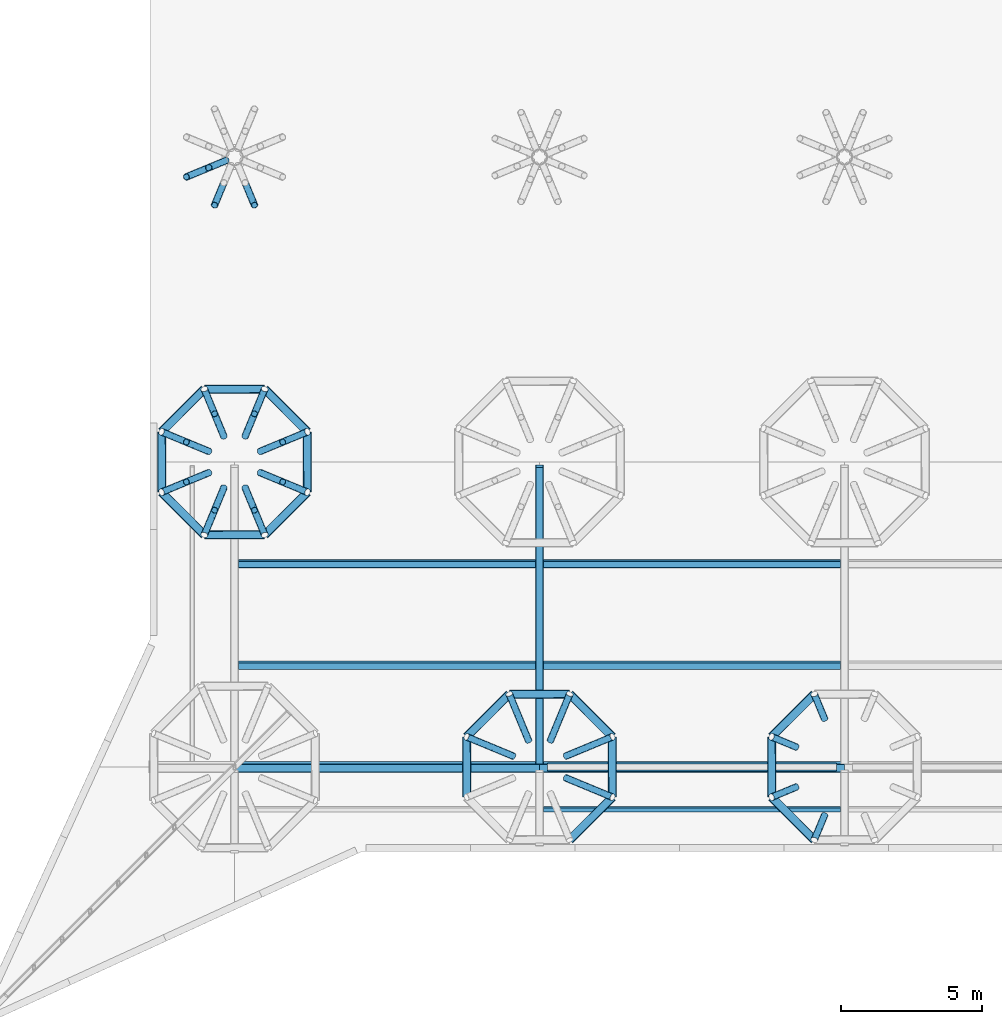
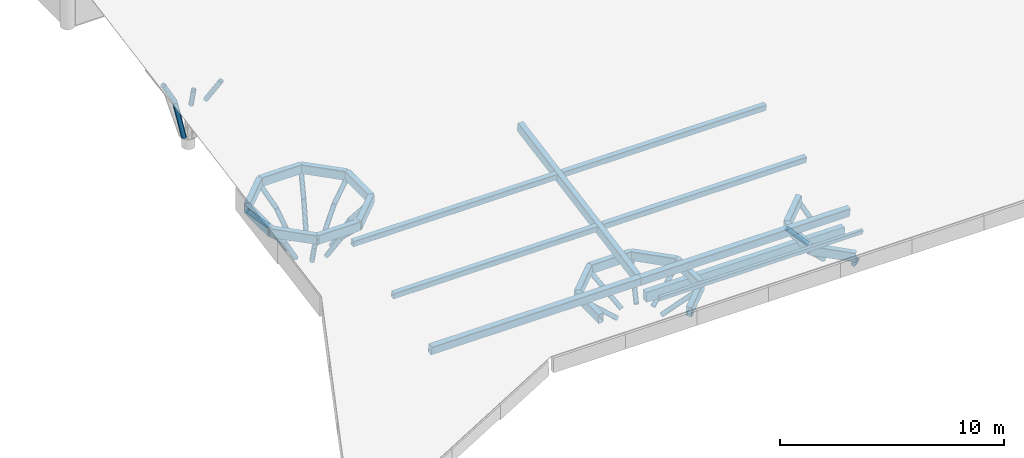
# One storey, part 6 of 56: 29 members, 26 beams.
"""IFC4 building model written with IfcOpenShell, lengths in metres."""

from ifc_helpers import new_model, si_unit, direction, frame, origin, origin_2d, place, context, subcontext, project, spatial, rectangle, hollow_rectangle, hollow_circle, extrude, clip, halfspace, material, material_profile, profile_set, type_object, element, save


model = new_model("IFC4")

# Units and contexts
model_context = context("Model", 3, precision=1e-05, world=origin(), true_north=direction((0.0, 1.0)))
body_context = subcontext(model_context, "Body", "Model", "MODEL_VIEW")
ifc_project = project(units=[si_unit("LENGTHUNIT", "METRE"), si_unit("AREAUNIT", "SQUARE_METRE"), si_unit("VOLUMEUNIT", "CUBIC_METRE"), si_unit("PLANEANGLEUNIT", "RADIAN"), si_unit("MASSUNIT", "GRAM", prefix="KILO")], contexts=[model_context])

# Site, building, storey
site_placement = place(None, origin())
site = spatial("IfcSite", under=ifc_project, at=site_placement, CompositionType="ELEMENT")
building_placement = place(site_placement, origin())
building = spatial("IfcBuilding", under=site, at=building_placement, Name="Magnolia Steps Interchange", CompositionType="ELEMENT")
storey_placement = place(building_placement, frame((0.0, 0.0, 8.699951171875)))
storey = spatial("IfcBuildingStorey", under=building, at=storey_placement, Name="L02", CompositionType="ELEMENT", Elevation=8.699951171875)

# Beams
ifc_material_1 = material(Name="Concrete C40", Category="concrete")
ifc_material_profile_1 = material_profile(ifc_material_1, rectangle(XDim=0.300048828125, YDim=0.550048828125, at=origin_2d()), Name="RC300x550")
ifc_profile_set_1 = profile_set([ifc_material_profile_1], Name="Concrete C40")
beam_type_1 = type_object("IfcBeamType", Name="Hall header sill beam 300x550", PredefinedType="BEAM", material=ifc_profile_set_1)
beam_1_placement = place(storey_placement, frame((64.280029296875, 42.39990234375, 1.02392578125), z_axis=(1.0, 0.0, 0.0), x_axis=(0.0, 1.0, 0.0)))
element("IfcBeam", 1, at=beam_1_placement, inside=storey, type_object=beam_type_1, Name="Hall header sill beam S2", PredefinedType="BEAM", context=body_context, shape_type="SweptSolid", body=[
    extrude(rectangle(XDim=0.300048828125, YDim=0.550048828125, at=origin_2d()), origin(), (0.0, 0.0, 1.0), 10.239990234375),
])
ifc_material_2 = material(Name="Steel Q355B", Category="steel")
ifc_material_profile_2 = material_profile(ifc_material_2, hollow_rectangle(XDim=0.300048828125, YDim=0.5, WallThickness=0.01611328125, InnerFilletRadius=0.01611328125, OuterFilletRadius=0.031982421875, at=origin_2d()), Name="RHS500x300x16")
ifc_profile_set_2 = profile_set([ifc_material_profile_2], Name="Steel Q355B")
beam_type_2 = type_object("IfcBeamType", Name="Ring beam RHS500x300x16", PredefinedType="BEAM", material=ifc_profile_set_2)
beam_2_placement = place(storey_placement, frame((55.780029296875, 54.268798828125, 3.424560546875), z_axis=(-0.707106781187, 0.707106781187, 0.0), x_axis=(-0.707106781187, -0.707106781187, 0.0)))
element("IfcBeam", 2, at=beam_2_placement, inside=storey, type_object=beam_type_2, Name="Ring beam TH01B", PredefinedType="BEAM", context=body_context, shape_type="Clipping", body=[
    clip(clip(extrude(hollow_rectangle(XDim=0.300048828125, YDim=0.5, WallThickness=0.01611328125, InnerFilletRadius=0.01611328125, OuterFilletRadius=0.031982421875, at=origin_2d()), origin(), (0.0, 0.0, 1.0), 2.13720703125), halfspace(frame((0.0, 0.0, 0.0), z_axis=(0.382683433, 0.0, -0.923879532), x_axis=(0.923879532, 0.0, 0.382683433)), False)), halfspace(frame((0.0, 0.0, 2.137202625), z_axis=(0.382683433, 0.0, 0.923879532), x_axis=(0.923879532, 0.0, -0.382683433)), False)),
])
beam_3_placement = place(storey_placement, frame((54.268798828125, 55.780029296875, 3.424560546875), z_axis=(-1.0, 0.0, 0.0), x_axis=(0.0, -1.0, 0.0)))
element("IfcBeam", 3, at=beam_3_placement, inside=storey, type_object=beam_type_2, Name="Ring beam TH01B", PredefinedType="BEAM", context=body_context, shape_type="Clipping", body=[
    clip(clip(extrude(hollow_rectangle(XDim=0.300048828125, YDim=0.5, WallThickness=0.01611328125, InnerFilletRadius=0.01611328125, OuterFilletRadius=0.031982421875, at=origin_2d()), origin(), (0.0, 0.0, 1.0), 2.137451171875), halfspace(frame((0.0, 0.0, 0.0), z_axis=(0.382683432, 0.0, -0.923879533), x_axis=(0.923879533, 0.0, 0.382683432)), False)), halfspace(frame((0.0, 0.0, 2.137451172), z_axis=(0.382683432, 0.0, 0.923879533), x_axis=(0.923879533, 0.0, -0.382683432)), False)),
])
beam_4_placement = place(storey_placement, frame((52.13134765625, 55.780029296875, 3.424560546875), z_axis=(-0.707106781187, -0.707106781187, 0.0), x_axis=(0.707106781187, -0.707106781187, 0.0)))
element("IfcBeam", 4, at=beam_4_placement, inside=storey, type_object=beam_type_2, Name="Ring beam TH01B", PredefinedType="BEAM", context=body_context, shape_type="Clipping", body=[
    clip(clip(extrude(hollow_rectangle(XDim=0.300048828125, YDim=0.5, WallThickness=0.01611328125, InnerFilletRadius=0.01611328125, OuterFilletRadius=0.031982421875, at=origin_2d()), origin(), (0.0, 0.0, 1.0), 2.13720703125), halfspace(frame((0.0, 0.0, 0.0), z_axis=(0.382683433, 0.0, -0.923879532), x_axis=(0.923879532, 0.0, 0.382683433)), False)), halfspace(frame((0.0, 0.0, 2.137202625), z_axis=(0.382683433, 0.0, 0.923879532), x_axis=(0.923879532, 0.0, -0.382683433)), False)),
])
beam_5_placement = place(storey_placement, frame((50.6201171875, 54.268798828125, 3.424560546875), z_axis=(0.0, -1.0, 0.0), x_axis=(1.0, 0.0, 0.0)))
element("IfcBeam", 5, at=beam_5_placement, inside=storey, type_object=beam_type_2, Name="Ring beam TH01B", PredefinedType="BEAM", context=body_context, shape_type="Clipping", body=[
    clip(clip(extrude(hollow_rectangle(XDim=0.300048828125, YDim=0.5, WallThickness=0.01611328125, InnerFilletRadius=0.01611328125, OuterFilletRadius=0.031982421875, at=origin_2d()), origin(), (0.0, 0.0, 1.0), 2.137451171875), halfspace(frame((0.0, 0.0, 0.0), z_axis=(0.382683432, 0.0, -0.923879533), x_axis=(0.923879533, 0.0, 0.382683432)), False)), halfspace(frame((0.0, 0.0, 2.137451172), z_axis=(0.382683432, 0.0, 0.923879533), x_axis=(0.923879533, 0.0, -0.382683432)), False)),
])
beam_6_placement = place(storey_placement, frame((50.6201171875, 52.13134765625, 3.424560546875), z_axis=(0.707106781187, -0.707106781187, 0.0), x_axis=(0.707106781187, 0.707106781187, 0.0)))
element("IfcBeam", 6, at=beam_6_placement, inside=storey, type_object=beam_type_2, Name="Ring beam TH01B", PredefinedType="BEAM", context=body_context, shape_type="Clipping", body=[
    clip(clip(extrude(hollow_rectangle(XDim=0.300048828125, YDim=0.5, WallThickness=0.01611328125, InnerFilletRadius=0.01611328125, OuterFilletRadius=0.031982421875, at=origin_2d()), origin(), (0.0, 0.0, 1.0), 2.13720703125), halfspace(frame((0.0, 0.0, 0.0), z_axis=(0.382683433, 0.0, -0.923879532), x_axis=(0.923879532, 0.0, 0.382683433)), False)), halfspace(frame((0.0, 0.0, 2.137202625), z_axis=(0.382683433, 0.0, 0.923879532), x_axis=(0.923879532, 0.0, -0.382683433)), False)),
])
beam_7_placement = place(storey_placement, frame((52.13134765625, 50.6201171875, 3.424560546875), z_axis=(1.0, 0.0, 0.0), x_axis=(0.0, 1.0, 0.0)))
element("IfcBeam", 7, at=beam_7_placement, inside=storey, type_object=beam_type_2, Name="Ring beam TH01B", PredefinedType="BEAM", context=body_context, shape_type="Clipping", body=[
    clip(clip(extrude(hollow_rectangle(XDim=0.300048828125, YDim=0.5, WallThickness=0.01611328125, InnerFilletRadius=0.01611328125, OuterFilletRadius=0.031982421875, at=origin_2d()), origin(), (0.0, 0.0, 1.0), 2.137451171875), halfspace(frame((0.0, 0.0, 0.0), z_axis=(0.382683432, 0.0, -0.923879533), x_axis=(0.923879533, 0.0, 0.382683432)), False)), halfspace(frame((0.0, 0.0, 2.137451172), z_axis=(0.382683432, 0.0, 0.923879533), x_axis=(0.923879533, 0.0, -0.382683432)), False)),
])
beam_8_placement = place(storey_placement, frame((54.268798828125, 50.6201171875, 3.424560546875), z_axis=(0.707106781187, 0.707106781187, 0.0), x_axis=(-0.707106781187, 0.707106781187, 0.0)))
element("IfcBeam", 8, at=beam_8_placement, inside=storey, type_object=beam_type_2, Name="Ring beam TH01B", PredefinedType="BEAM", context=body_context, shape_type="Clipping", body=[
    clip(clip(extrude(hollow_rectangle(XDim=0.300048828125, YDim=0.5, WallThickness=0.01611328125, InnerFilletRadius=0.01611328125, OuterFilletRadius=0.031982421875, at=origin_2d()), origin(), (0.0, 0.0, 1.0), 2.13720703125), halfspace(frame((0.0, 0.0, 0.0), z_axis=(0.382683433, 0.0, -0.923879532), x_axis=(0.923879532, 0.0, 0.382683433)), False)), halfspace(frame((0.0, 0.0, 2.137202625), z_axis=(0.382683433, 0.0, 0.923879532), x_axis=(0.923879532, 0.0, -0.382683433)), False)),
])
beam_9_placement = place(storey_placement, frame((55.780029296875, 52.13134765625, 3.424560546875), z_axis=(0.0, 1.0, 0.0), x_axis=(-1.0, 0.0, 0.0)))
element("IfcBeam", 9, at=beam_9_placement, inside=storey, type_object=beam_type_2, Name="Ring beam TH01B", PredefinedType="BEAM", context=body_context, shape_type="Clipping", body=[
    clip(clip(extrude(hollow_rectangle(XDim=0.300048828125, YDim=0.5, WallThickness=0.01611328125, InnerFilletRadius=0.01611328125, OuterFilletRadius=0.031982421875, at=origin_2d()), origin(), (0.0, 0.0, 1.0), 2.137451171875), halfspace(frame((0.0, 0.0, 0.0), z_axis=(0.382683432, 0.0, -0.923879533), x_axis=(0.923879533, 0.0, 0.382683432)), False)), halfspace(frame((0.0, 0.0, 2.137451172), z_axis=(0.382683432, 0.0, 0.923879533), x_axis=(0.923879533, 0.0, -0.382683432)), False)),
])
beam_10_placement = place(storey_placement, frame((66.580078125, 43.46875, 1.44873046875), z_axis=(-0.707163891131, 0.707049666629, 0.0), x_axis=(-0.707049666629, -0.707163891131, 0.0)))
element("IfcBeam", 10, at=beam_10_placement, inside=storey, type_object=beam_type_2, Name="Ring beam TH02A", PredefinedType="BEAM", context=body_context, shape_type="Clipping", body=[
    clip(clip(extrude(hollow_rectangle(XDim=0.300048828125, YDim=0.5, WallThickness=0.01611328125, InnerFilletRadius=0.01611328125, OuterFilletRadius=0.031982421875, at=origin_2d()), origin(), (0.0, 0.0, 1.0), 2.137451171875), halfspace(frame((0.0, 0.0, 0.0), z_axis=(0.382758052, 0.0, -0.92384862), x_axis=(0.923848621, 0.0, 0.382758052)), False)), halfspace(frame((0.0, 0.0, 2.137375265), z_axis=(0.382608811, 0.0, 0.923910438), x_axis=(0.923910438, 0.0, -0.382608811)), False)),
])
beam_11_placement = place(storey_placement, frame((65.068603515625, 44.97998046875, 1.44873046875), z_axis=(-1.0, 0.0, 0.0), x_axis=(0.0, -1.0, 0.0)))
element("IfcBeam", 11, at=beam_11_placement, inside=storey, type_object=beam_type_2, Name="Ring beam TH02A", PredefinedType="BEAM", context=body_context, shape_type="Clipping", body=[
    clip(clip(extrude(hollow_rectangle(XDim=0.300048828125, YDim=0.5, WallThickness=0.01611328125, InnerFilletRadius=0.01611328125, OuterFilletRadius=0.031982421875, at=origin_2d()), origin(), (0.0, 0.0, 1.0), 2.13720703125), halfspace(frame((0.0, 0.0, 0.0), z_axis=(0.382683432, 0.0, -0.923879533), x_axis=(0.923879533, 0.0, 0.382683432)), False)), halfspace(frame((0.0, 0.0, 2.137207031), z_axis=(0.382683432, 0.0, 0.923879533), x_axis=(0.923879533, 0.0, -0.382683432)), False)),
])
beam_12_placement = place(storey_placement, frame((62.931396484375, 44.97998046875, 1.44873046875), z_axis=(-0.707163891131, -0.707049666629, 0.0), x_axis=(0.707049666629, -0.707163891131, 0.0)))
element("IfcBeam", 12, at=beam_12_placement, inside=storey, type_object=beam_type_2, Name="Ring beam TH02A", PredefinedType="BEAM", context=body_context, shape_type="Clipping", body=[
    clip(clip(extrude(hollow_rectangle(XDim=0.300048828125, YDim=0.5, WallThickness=0.01611328125, InnerFilletRadius=0.01611328125, OuterFilletRadius=0.031982421875, at=origin_2d()), origin(), (0.0, 0.0, 1.0), 2.137451171875), halfspace(frame((0.0, 0.0, 0.0), z_axis=(0.382608811, 0.0, -0.923910438), x_axis=(0.923910438, 0.0, 0.382608811)), False)), halfspace(frame((0.0, 0.0, 2.137375265), z_axis=(0.382758052, 0.0, 0.92384862), x_axis=(0.923848621, 0.0, -0.382758052)), False)),
])
beam_13_placement = place(storey_placement, frame((61.419921875, 43.46875, 1.44873046875), z_axis=(0.0, -1.0, 0.0), x_axis=(1.0, 0.0, 0.0)))
element("IfcBeam", 13, at=beam_13_placement, inside=storey, type_object=beam_type_2, Name="Ring beam TH02A", PredefinedType="BEAM", context=body_context, shape_type="Clipping", body=[
    clip(clip(extrude(hollow_rectangle(XDim=0.300048828125, YDim=0.5, WallThickness=0.01611328125, InnerFilletRadius=0.01611328125, OuterFilletRadius=0.031982421875, at=origin_2d()), origin(), (0.0, 0.0, 1.0), 2.137451171875), halfspace(frame((0.0, 0.0, 0.0), z_axis=(0.382683432, 0.0, -0.923879533), x_axis=(0.923879533, 0.0, 0.382683432)), False)), halfspace(frame((0.0, 0.0, 2.137451172), z_axis=(0.382683432, 0.0, 0.923879533), x_axis=(0.923879533, 0.0, -0.382683432)), False)),
])
beam_14_placement = place(storey_placement, frame((65.068603515625, 39.820068359375, 1.44873046875), z_axis=(0.707163891131, 0.707049666629, 0.0), x_axis=(-0.707049666629, 0.707163891131, 0.0)))
element("IfcBeam", 14, at=beam_14_placement, inside=storey, type_object=beam_type_2, Name="Ring beam TH02A", PredefinedType="BEAM", context=body_context, shape_type="Clipping", body=[
    clip(clip(extrude(hollow_rectangle(XDim=0.300048828125, YDim=0.5, WallThickness=0.01611328125, InnerFilletRadius=0.01611328125, OuterFilletRadius=0.031982421875, at=origin_2d()), origin(), (0.0, 0.0, 1.0), 2.137451171875), halfspace(frame((0.0, 0.0, 0.0), z_axis=(0.382608811, 0.0, -0.923910438), x_axis=(0.923910438, 0.0, 0.382608811)), False)), halfspace(frame((0.0, 0.0, 2.137375265), z_axis=(0.382758052, 0.0, 0.92384862), x_axis=(0.923848621, 0.0, -0.382758052)), False)),
])
beam_15_placement = place(storey_placement, frame((66.580078125, 41.331298828125, 1.44873046875), z_axis=(0.0, 1.0, 0.0), x_axis=(-1.0, 0.0, 0.0)))
element("IfcBeam", 15, at=beam_15_placement, inside=storey, type_object=beam_type_2, Name="Ring beam TH02A", PredefinedType="BEAM", context=body_context, shape_type="Clipping", body=[
    clip(clip(extrude(hollow_rectangle(XDim=0.300048828125, YDim=0.5, WallThickness=0.01611328125, InnerFilletRadius=0.01611328125, OuterFilletRadius=0.031982421875, at=origin_2d()), origin(), (0.0, 0.0, 1.0), 2.137451171875), halfspace(frame((0.0, 0.0, 0.0), z_axis=(0.382683432, 0.0, -0.923879533), x_axis=(0.923879533, 0.0, 0.382683432)), False)), halfspace(frame((0.0, 0.0, 2.137451172), z_axis=(0.382683432, 0.0, 0.923879533), x_axis=(0.923879533, 0.0, -0.382683432)), False)),
])
beam_16_placement = place(storey_placement, frame((73.731201171875, 44.97998046875, 1.44873046875), z_axis=(-0.707106781187, -0.707106781187, 0.0), x_axis=(0.707106781187, -0.707106781187, 0.0)))
element("IfcBeam", 16, at=beam_16_placement, inside=storey, type_object=beam_type_2, Name="Ring beam TH03A", PredefinedType="BEAM", context=body_context, shape_type="Clipping", body=[
    clip(clip(extrude(hollow_rectangle(XDim=0.300048828125, YDim=0.5, WallThickness=0.01611328125, InnerFilletRadius=0.01611328125, OuterFilletRadius=0.031982421875, at=origin_2d()), origin(), (0.0, 0.0, 1.0), 2.13720703125), halfspace(frame((0.0, 0.0, 0.0), z_axis=(0.382683433, 0.0, -0.923879532), x_axis=(0.923879532, 0.0, 0.382683433)), False)), halfspace(frame((0.0, 0.0, 2.137202625), z_axis=(0.382683433, 0.0, 0.923879532), x_axis=(0.923879532, 0.0, -0.382683433)), False)),
])
beam_17_placement = place(storey_placement, frame((72.219970703125, 43.46875, 1.44873046875), z_axis=(0.0, -1.0, 0.0), x_axis=(1.0, 0.0, 0.0)))
element("IfcBeam", 17, at=beam_17_placement, inside=storey, type_object=beam_type_2, Name="Ring beam TH03A", PredefinedType="BEAM", context=body_context, shape_type="Clipping", body=[
    clip(clip(extrude(hollow_rectangle(XDim=0.300048828125, YDim=0.5, WallThickness=0.01611328125, InnerFilletRadius=0.01611328125, OuterFilletRadius=0.031982421875, at=origin_2d()), origin(), (0.0, 0.0, 1.0), 2.137451171875), halfspace(frame((0.0, 0.0, 0.0), z_axis=(0.382683432, 0.0, -0.923879533), x_axis=(0.923879533, 0.0, 0.382683432)), False)), halfspace(frame((0.0, 0.0, 2.137451172), z_axis=(0.382683432, 0.0, 0.923879533), x_axis=(0.923879533, 0.0, -0.382683432)), False)),
])
beam_18_placement = place(storey_placement, frame((72.219970703125, 41.331298828125, 1.44873046875), z_axis=(0.707106781187, -0.707106781187, 0.0), x_axis=(0.707106781187, 0.707106781187, 0.0)))
element("IfcBeam", 18, at=beam_18_placement, inside=storey, type_object=beam_type_2, Name="Ring beam TH03A", PredefinedType="BEAM", context=body_context, shape_type="Clipping", body=[
    clip(clip(extrude(hollow_rectangle(XDim=0.300048828125, YDim=0.5, WallThickness=0.01611328125, InnerFilletRadius=0.01611328125, OuterFilletRadius=0.031982421875, at=origin_2d()), origin(), (0.0, 0.0, 1.0), 2.13720703125), halfspace(frame((0.0, 0.0, 0.0), z_axis=(0.382683433, 0.0, -0.923879532), x_axis=(0.923879532, 0.0, 0.382683433)), False)), halfspace(frame((0.0, 0.0, 2.137202625), z_axis=(0.382683433, 0.0, 0.923879532), x_axis=(0.923879532, 0.0, -0.382683433)), False)),
])
ifc_material_3 = material(Name="Steel Q355B", Category="steel")
ifc_material_profile_3 = material_profile(ifc_material_3, hollow_rectangle(XDim=0.300048828125, YDim=0.5, WallThickness=0.01611328125, InnerFilletRadius=0.01611328125, OuterFilletRadius=0.031982421875, at=origin_2d()), Name="RHS500x300x16")
ifc_profile_set_3 = profile_set([ifc_material_profile_3], Name="Steel Q355B")
beam_type_3 = type_object("IfcBeamType", Name="Roof beam RHS500x300x16", PredefinedType="BEAM", material=ifc_profile_set_3)
for number, where, z_axis, x_axis, name in (
    (19, (53.199951171875, 42.39990234375, 1.9931640625), (1.0, 0.0, 0.0), (0.0, 0.98367737698, 0.17994115154), "Roof beam"),
    (20, (64.0, 42.39990234375, 1.9931640625), (1.0, 0.0, 0.0), (0.0, 0.98367737698, 0.17994115154), "Roof beam"),
):
    element("IfcBeam", number, at=place(storey_placement, frame(where, z_axis=z_axis, x_axis=x_axis)), inside=storey, type_object=beam_type_3, Name=name, PredefinedType="BEAM", context=body_context, shape_type="SweptSolid", body=[
        extrude(hollow_rectangle(XDim=0.300048828125, YDim=0.5, WallThickness=0.01611328125, InnerFilletRadius=0.01611328125, OuterFilletRadius=0.031982421875, at=origin_2d()), origin(), (0.0, 0.0, 1.0), 10.800048828125),
    ])
beam_19_placement = place(storey_placement, frame((64.0, 42.550048828125, 2.0205078125), z_axis=(0.0, 0.983678690331, 0.179933971746), x_axis=(-1.0, 0.0, 0.0)))
element("IfcBeam", 21, at=beam_19_placement, inside=storey, type_object=beam_type_3, Name="Roof beam", PredefinedType="BEAM", context=body_context, shape_type="SweptSolid", body=[
    extrude(hollow_rectangle(XDim=0.300048828125, YDim=0.5, WallThickness=0.01611328125, InnerFilletRadius=0.01611328125, OuterFilletRadius=0.031982421875, at=origin_2d()), origin(), (0.0, 0.0, 1.0), 10.67431640625),
])
ifc_material_4 = material(Name="Steel Q355B", Category="steel")
ifc_material_profile_4 = material_profile(ifc_material_4, hollow_rectangle(XDim=0.14990234375, YDim=0.25, WallThickness=0.008056640625, InnerFilletRadius=0.008056640625, OuterFilletRadius=0.01611328125, at=origin_2d()), Name="RHS250x150x8")
ifc_profile_set_4 = profile_set([ifc_material_profile_4], Name="Steel Q355B")
beam_type_4 = type_object("IfcBeamType", Name="Roof edge joist RHS250x150x8", PredefinedType="BEAM", material=ifc_profile_set_4)
beam_20_placement = place(storey_placement, frame((64.14990234375, 40.89990234375, 1.845703125), z_axis=(1.0, 0.0, 0.0), x_axis=(0.0, 0.98367737698, 0.17994115154)))
element("IfcBeam", 22, at=beam_20_placement, inside=storey, type_object=beam_type_4, Name="Roof edge joist", PredefinedType="BEAM", context=body_context, shape_type="SweptSolid", body=[
    extrude(hollow_rectangle(XDim=0.14990234375, YDim=0.25, WallThickness=0.008056640625, InnerFilletRadius=0.008056640625, OuterFilletRadius=0.01611328125, at=origin_2d()), origin(), (0.0, 0.0, 1.0), 10.5),
])
ifc_material_5 = material(Name="Steel Q355B", Category="steel")
ifc_material_profile_5 = material_profile(ifc_material_5, hollow_rectangle(XDim=0.25, YDim=0.35009765625, WallThickness=0.011962890625, InnerFilletRadius=0.011962890625, OuterFilletRadius=0.02392578125, at=origin_2d()), Name="RHS350x250x12")
ifc_profile_set_5 = profile_set([ifc_material_profile_5], Name="Steel Q355B")
beam_type_5 = type_object("IfcBeamType", Name="Roof joist RHS350x250x12", PredefinedType="BEAM", material=ifc_profile_set_5)
for number, where, z_axis, x_axis, name in (
    (23, (53.35009765625, 46.0, 2.727783203125), (1.0, 0.0, 0.0), (0.0, 0.98367737698, 0.17994115154), "Roof joist"),
    (24, (64.14990234375, 46.0, 2.727783203125), (1.0, 0.0, 0.0), (0.0, 0.98367737698, 0.17994115154), "Roof joist"),
    (25, (53.35009765625, 49.60009765625, 3.38623046875), (1.0, 0.0, 0.0), (0.0, 0.98367737698, 0.17994115154), "Roof joist"),
    (26, (64.14990234375, 49.60009765625, 3.38623046875), (1.0, 0.0, 0.0), (0.0, 0.98367737698, 0.17994115154), "Roof joist"),
):
    element("IfcBeam", number, at=place(storey_placement, frame(where, z_axis=z_axis, x_axis=x_axis)), inside=storey, type_object=beam_type_5, Name=name, PredefinedType="BEAM", context=body_context, shape_type="SweptSolid", body=[
        extrude(hollow_rectangle(XDim=0.25, YDim=0.35009765625, WallThickness=0.011962890625, InnerFilletRadius=0.011962890625, OuterFilletRadius=0.02392578125, at=origin_2d()), origin(), (0.0, 0.0, 1.0), 10.5),
    ])

# Members
ifc_material_6 = material(Name="Steel Q355B", Category="steel")
ifc_material_profile_6 = material_profile(ifc_material_6, hollow_circle(Radius=0.12255859375, WallThickness=0.011962890625, at=origin_2d()), Name="CHS245x12")
ifc_profile_set_6 = profile_set([ifc_material_profile_6], Name="Steel Q355B")
member_type = type_object("IfcMemberType", Name="Tree rib CHS245x12", PredefinedType="USERDEFINED", material=ifc_profile_set_6)
member_1_placement = place(storey_placement, frame((54.112060546875, 53.57763671875, 0.986083984375), z_axis=(0.489571014481, 0.202820124805, 0.848047297475), x_axis=(-0.382736860682, 0.923857399968, 0.0)))
element("IfcMember", 27, at=member_1_placement, inside=storey, type_object=member_type, Name="Tree rib TH01B", ObjectType="TREE RIB", PredefinedType="USERDEFINED", context=body_context, shape_type="SweptSolid", body=[
    extrude(hollow_circle(Radius=0.12255859375, WallThickness=0.011962890625, at=origin_2d()), origin(), (0.0, 0.0, 1.0), 1.6201171875),
])
member_2_placement = place(storey_placement, frame((54.9052734375, 53.90625, 2.360107421875), z_axis=(0.664566115613, 0.275434184115, 0.694613481153), x_axis=(-0.382875502946, 0.923799950879, 0.0)))
element("IfcMember", 28, at=member_2_placement, inside=storey, type_object=member_type, Name="Tree rib TH01B", ObjectType="TREE RIB", PredefinedType="USERDEFINED", context=body_context, shape_type="SweptSolid", body=[
    extrude(hollow_circle(Radius=0.12255859375, WallThickness=0.011962890625, at=origin_2d()), origin(), (0.0, 0.0, 1.0), 1.316162109375),
])
member_3_placement = place(storey_placement, frame((53.57763671875, 54.112060546875, 0.986083984375), z_axis=(0.202820124805, 0.489571014481, 0.848047297475), x_axis=(-0.923857399968, 0.382736860682, 0.0)))
element("IfcMember", 29, at=member_3_placement, inside=storey, type_object=member_type, Name="Tree rib TH01B", ObjectType="TREE RIB", PredefinedType="USERDEFINED", context=body_context, shape_type="SweptSolid", body=[
    extrude(hollow_circle(Radius=0.12255859375, WallThickness=0.011962890625, at=origin_2d()), origin(), (0.0, 0.0, 1.0), 1.6201171875),
])
member_4_placement = place(storey_placement, frame((53.90625, 54.9052734375, 2.360107421875), z_axis=(0.275434184115, 0.664566115613, 0.694613481153), x_axis=(-0.923799950879, 0.382875502946, 0.0)))
element("IfcMember", 30, at=member_4_placement, inside=storey, type_object=member_type, Name="Tree rib TH01B", ObjectType="TREE RIB", PredefinedType="USERDEFINED", context=body_context, shape_type="SweptSolid", body=[
    extrude(hollow_circle(Radius=0.12255859375, WallThickness=0.011962890625, at=origin_2d()), origin(), (0.0, 0.0, 1.0), 1.316162109375),
])
member_5_placement = place(storey_placement, frame((52.822265625, 54.112060546875, 0.986083984375), z_axis=(-0.202820124805, 0.489571014481, 0.848047297475), x_axis=(-0.923857399968, -0.382736860682, 0.0)))
element("IfcMember", 31, at=member_5_placement, inside=storey, type_object=member_type, Name="Tree rib TH01B", ObjectType="TREE RIB", PredefinedType="USERDEFINED", context=body_context, shape_type="SweptSolid", body=[
    extrude(hollow_circle(Radius=0.12255859375, WallThickness=0.011962890625, at=origin_2d()), origin(), (0.0, 0.0, 1.0), 1.6201171875),
])
member_6_placement = place(storey_placement, frame((52.49365234375, 54.9052734375, 2.360107421875), z_axis=(-0.275262764485, 0.664600057379, 0.694648957546), x_axis=(-0.92389112775, -0.382655437784, 0.0)))
element("IfcMember", 32, at=member_6_placement, inside=storey, type_object=member_type, Name="Tree rib TH01B", ObjectType="TREE RIB", PredefinedType="USERDEFINED", context=body_context, shape_type="SweptSolid", body=[
    extrude(hollow_circle(Radius=0.12255859375, WallThickness=0.011962890625, at=origin_2d()), origin(), (0.0, 0.0, 1.0), 1.316162109375),
])
member_7_placement = place(storey_placement, frame((52.2880859375, 53.57763671875, 0.986083984375), z_axis=(-0.489571014481, 0.202820124805, 0.848047297475), x_axis=(-0.382736860682, -0.923857399968, 0.0)))
element("IfcMember", 33, at=member_7_placement, inside=storey, type_object=member_type, Name="Tree rib TH01B", ObjectType="TREE RIB", PredefinedType="USERDEFINED", context=body_context, shape_type="SweptSolid", body=[
    extrude(hollow_circle(Radius=0.12255859375, WallThickness=0.011962890625, at=origin_2d()), origin(), (0.0, 0.0, 1.0), 1.6201171875),
])
member_8_placement = place(storey_placement, frame((51.494873046875, 53.90625, 2.360107421875), z_axis=(-0.664566115613, 0.275434184115, 0.694613481153), x_axis=(-0.382875502946, -0.923799950879, 0.0)))
element("IfcMember", 34, at=member_8_placement, inside=storey, type_object=member_type, Name="Tree rib TH01B", ObjectType="TREE RIB", PredefinedType="USERDEFINED", context=body_context, shape_type="SweptSolid", body=[
    extrude(hollow_circle(Radius=0.12255859375, WallThickness=0.011962890625, at=origin_2d()), origin(), (0.0, 0.0, 1.0), 1.316162109375),
])
member_9_placement = place(storey_placement, frame((52.2880859375, 52.822265625, 0.986083984375), z_axis=(-0.489571014481, -0.202820124805, 0.848047297475), x_axis=(0.382736860682, -0.923857399968, 0.0)))
element("IfcMember", 35, at=member_9_placement, inside=storey, type_object=member_type, Name="Tree rib TH01B", ObjectType="TREE RIB", PredefinedType="USERDEFINED", context=body_context, shape_type="SweptSolid", body=[
    extrude(hollow_circle(Radius=0.12255859375, WallThickness=0.011962890625, at=origin_2d()), origin(), (0.0, 0.0, 1.0), 1.6201171875),
])
member_10_placement = place(storey_placement, frame((51.494873046875, 52.49365234375, 2.360107421875), z_axis=(-0.664600057379, -0.275262764485, 0.694648957546), x_axis=(0.382655437784, -0.92389112775, 0.0)))
element("IfcMember", 36, at=member_10_placement, inside=storey, type_object=member_type, Name="Tree rib TH01B", ObjectType="TREE RIB", PredefinedType="USERDEFINED", context=body_context, shape_type="SweptSolid", body=[
    extrude(hollow_circle(Radius=0.12255859375, WallThickness=0.011962890625, at=origin_2d()), origin(), (0.0, 0.0, 1.0), 1.316162109375),
])
member_11_placement = place(storey_placement, frame((52.822265625, 52.2880859375, 0.986083984375), z_axis=(-0.202820124805, -0.489571014481, 0.848047297475), x_axis=(0.923857399968, -0.382736860682, 0.0)))
element("IfcMember", 37, at=member_11_placement, inside=storey, type_object=member_type, Name="Tree rib TH01B", ObjectType="TREE RIB", PredefinedType="USERDEFINED", context=body_context, shape_type="SweptSolid", body=[
    extrude(hollow_circle(Radius=0.12255859375, WallThickness=0.011962890625, at=origin_2d()), origin(), (0.0, 0.0, 1.0), 1.6201171875),
])
member_12_placement = place(storey_placement, frame((52.49365234375, 51.494873046875, 2.360107421875), z_axis=(-0.275262764485, -0.664600057379, 0.694648957546), x_axis=(0.92389112775, -0.382655437784, 0.0)))
element("IfcMember", 38, at=member_12_placement, inside=storey, type_object=member_type, Name="Tree rib TH01B", ObjectType="TREE RIB", PredefinedType="USERDEFINED", context=body_context, shape_type="SweptSolid", body=[
    extrude(hollow_circle(Radius=0.12255859375, WallThickness=0.011962890625, at=origin_2d()), origin(), (0.0, 0.0, 1.0), 1.316162109375),
])
member_13_placement = place(storey_placement, frame((53.57763671875, 52.2880859375, 0.986083984375), z_axis=(0.202820124805, -0.489571014481, 0.848047297475), x_axis=(0.923857399968, 0.382736860682, 0.0)))
element("IfcMember", 39, at=member_13_placement, inside=storey, type_object=member_type, Name="Tree rib TH01B", ObjectType="TREE RIB", PredefinedType="USERDEFINED", context=body_context, shape_type="SweptSolid", body=[
    extrude(hollow_circle(Radius=0.12255859375, WallThickness=0.011962890625, at=origin_2d()), origin(), (0.0, 0.0, 1.0), 1.6201171875),
])
member_14_placement = place(storey_placement, frame((53.90625, 51.494873046875, 2.360107421875), z_axis=(0.275434184115, -0.664566115613, 0.694613481153), x_axis=(0.923799950879, 0.382875502946, 0.0)))
element("IfcMember", 40, at=member_14_placement, inside=storey, type_object=member_type, Name="Tree rib TH01B", ObjectType="TREE RIB", PredefinedType="USERDEFINED", context=body_context, shape_type="SweptSolid", body=[
    extrude(hollow_circle(Radius=0.12255859375, WallThickness=0.011962890625, at=origin_2d()), origin(), (0.0, 0.0, 1.0), 1.316162109375),
])
member_15_placement = place(storey_placement, frame((54.112060546875, 52.822265625, 0.986083984375), z_axis=(0.489571014481, -0.202820124805, 0.848047297475), x_axis=(0.382736860682, 0.923857399968, 0.0)))
element("IfcMember", 41, at=member_15_placement, inside=storey, type_object=member_type, Name="Tree rib TH01B", ObjectType="TREE RIB", PredefinedType="USERDEFINED", context=body_context, shape_type="SweptSolid", body=[
    extrude(hollow_circle(Radius=0.12255859375, WallThickness=0.011962890625, at=origin_2d()), origin(), (0.0, 0.0, 1.0), 1.6201171875),
])
member_16_placement = place(storey_placement, frame((54.9052734375, 52.49365234375, 2.360107421875), z_axis=(0.664600057379, -0.275262764485, 0.694648957546), x_axis=(0.382655437784, 0.92389112775, 0.0)))
element("IfcMember", 42, at=member_16_placement, inside=storey, type_object=member_type, Name="Tree rib TH01B", ObjectType="TREE RIB", PredefinedType="USERDEFINED", context=body_context, shape_type="SweptSolid", body=[
    extrude(hollow_circle(Radius=0.12255859375, WallThickness=0.011962890625, at=origin_2d()), origin(), (0.0, 0.0, 1.0), 1.316162109375),
])
member_17_placement = place(storey_placement, frame((52.89501953125, 63.873779296875, 0.670166015625), z_axis=(-0.254605567514, -0.105488227892, 0.961274278636), x_axis=(0.382767514508, -0.923844700065, 0.0)))
element("IfcMember", 43, at=member_17_placement, inside=storey, type_object=member_type, Name="Tree rib TH01C", ObjectType="TREE RIB", PredefinedType="USERDEFINED", context=body_context, shape_type="SweptSolid", body=[
    extrude(hollow_circle(Radius=0.12255859375, WallThickness=0.011962890625, at=origin_2d()), origin(), (0.0, 0.0, 1.0), 2.3837890625),
])
for number, where, z_axis, x_axis, name in (
    (44, (52.2880859375, 63.622314453125, 2.961669921875), (-0.489571014481, -0.202820124805, 0.848047297475), (0.382736860682, -0.923857399968, 0.0), "Tree rib TH01C"),
    (45, (52.822265625, 63.087890625, 2.961669921875), (-0.202835086264, -0.489456434015, 0.848109855491), (0.923815729635, -0.38283742983, 0.0), "Tree rib TH01C"),
    (46, (53.57763671875, 63.087890625, 2.961669921875), (0.202835086264, -0.489456434015, 0.848109855491), (0.923815729635, 0.38283742983, 0.0), "Tree rib TH01C"),
):
    element("IfcMember", number, at=place(storey_placement, frame(where, z_axis=z_axis, x_axis=x_axis)), inside=storey, type_object=member_type, Name=name, ObjectType="TREE RIB", PredefinedType="USERDEFINED", context=body_context, shape_type="SweptSolid", body=[
        extrude(hollow_circle(Radius=0.12255859375, WallThickness=0.011962890625, at=origin_2d()), origin(), (0.0, 0.0, 1.0), 1.6201171875),
    ])
for number, where, z_axis, x_axis, name in (
    (47, (64.921630859375, 42.78173828125, 0.00048828125), (0.748590194604, 0.310103460565, 0.586044848359), (-0.382712136791, 0.923867642226, 0.0), "Tree rib TH02A"),
    (48, (64.381591796875, 43.321533203125, 0.00048828125), (0.310103460565, 0.748590194604, 0.586044848359), (-0.923867642226, 0.382712136791, 0.0), "Tree rib TH02A"),
    (49, (63.618408203125, 43.321533203125, 0.00048828125), (-0.310103460565, 0.748590194604, 0.586044848359), (-0.923867642226, -0.382712136791, 0.0), "Tree rib TH02A"),
    (50, (63.078369140625, 42.78173828125, 0.00048828125), (-0.748590194604, 0.310103460565, 0.586044848359), (-0.382712136791, -0.923867642226, 0.0), "Tree rib TH02A"),
    (51, (64.921630859375, 42.018310546875, 0.00048828125), (0.748590194604, -0.310103460565, 0.586044848359), (0.382712136791, 0.923867642226, 0.0), "Tree rib TH02A"),
):
    element("IfcMember", number, at=place(storey_placement, frame(where, z_axis=z_axis, x_axis=x_axis)), inside=storey, type_object=member_type, Name=name, ObjectType="TREE RIB", PredefinedType="USERDEFINED", context=body_context, shape_type="SweptSolid", body=[
        extrude(hollow_circle(Radius=0.12255859375, WallThickness=0.011962890625, at=origin_2d()), origin(), (0.0, 0.0, 1.0), 2.21533203125),
    ])
for number, where, z_axis, x_axis, name in (
    (52, (74.09375, 44.105224609375, 0.384521484375), (-0.275434184115, 0.664566115613, 0.694613481153), (-0.923799950879, -0.382875502946, 0.0), "Tree rib TH03A"),
    (53, (73.0947265625, 43.106201171875, 0.384521484375), (-0.664566115613, 0.275434184115, 0.694613481153), (-0.382875502946, -0.923799950879, 0.0), "Tree rib TH03A"),
    (54, (73.0947265625, 41.693603515625, 0.384521484375), (-0.664600057379, -0.275262764485, 0.694648957546), (0.382655437784, -0.92389112775, 0.0), "Tree rib TH03A"),
    (55, (74.09375, 40.69482421875, 0.384521484375), (-0.275434184115, -0.664566115613, 0.694613481153), (0.923799950879, -0.382875502946, 0.0), "Tree rib TH03A"),
):
    element("IfcMember", number, at=place(storey_placement, frame(where, z_axis=z_axis, x_axis=x_axis)), inside=storey, type_object=member_type, Name=name, ObjectType="TREE RIB", PredefinedType="USERDEFINED", context=body_context, shape_type="SweptSolid", body=[
        extrude(hollow_circle(Radius=0.12255859375, WallThickness=0.011962890625, at=origin_2d()), origin(), (0.0, 0.0, 1.0), 1.316162109375),
    ])

save(model, "model.ifc")
